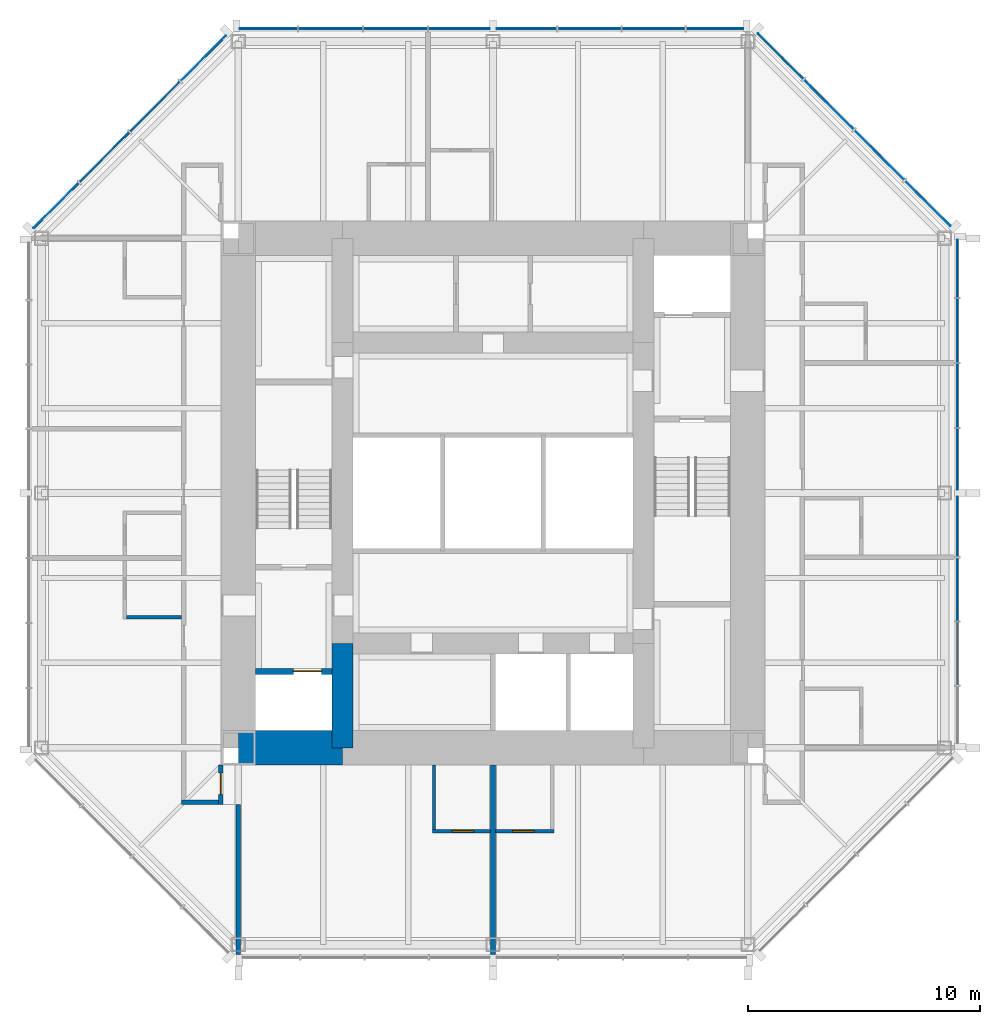
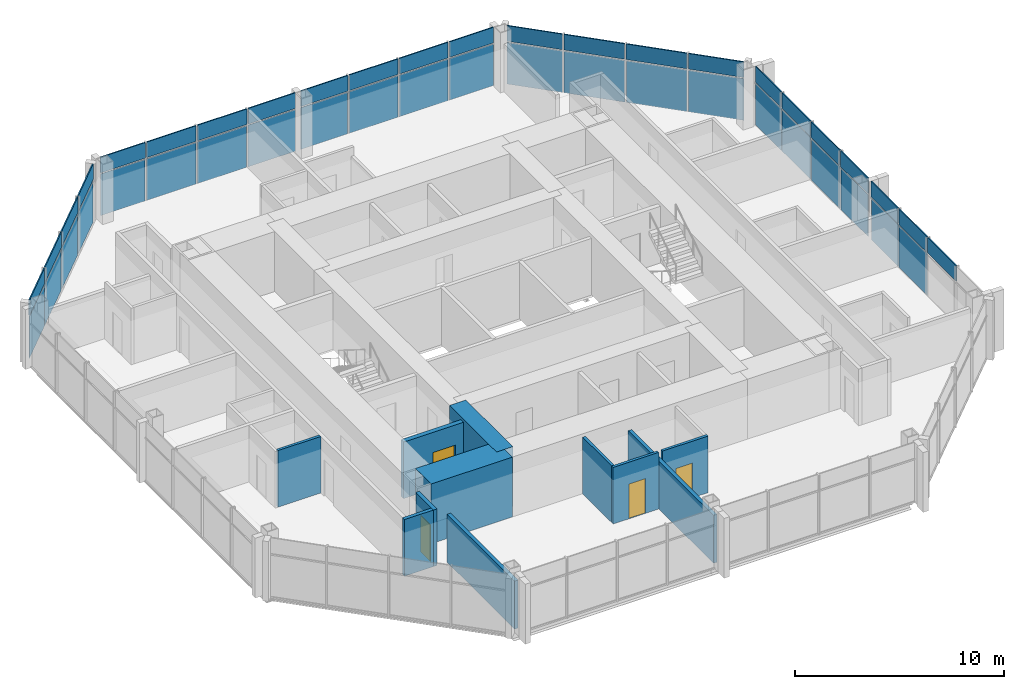
# One storey, part 7 of 11: 45 plates, 11 walls, 4 doors, 4 openings, 4 elements without a shape of their own.
"""IFC4 building model written with IfcOpenShell, lengths in metres."""

from ifc_helpers import new_model, si_unit, direction, frame, frame_2d, origin, origin_2d, place, context, subcontext, project, spatial, rectangle, extrude, material, layer, layer_set, type_object, element, fill, aggregate, save


model = new_model("IFC4")

# Units and contexts
model_context = context("Model", 3, precision=1e-05, world=origin(), true_north=direction((0.0, 1.0)))
body_context = subcontext(model_context, "Body", "Model", "MODEL_VIEW")
ifc_project = project(units=[si_unit("LENGTHUNIT", "METRE"), si_unit("AREAUNIT", "SQUARE_METRE"), si_unit("VOLUMEUNIT", "CUBIC_METRE"), si_unit("PLANEANGLEUNIT", "RADIAN"), si_unit("MASSUNIT", "GRAM", prefix="KILO")], contexts=[model_context])

# Site, building, storey
site_placement = place(None, origin())
site = spatial("IfcSite", under=ifc_project, at=site_placement, CompositionType="ELEMENT")
building_placement = place(site_placement, origin())
building = spatial("IfcBuilding", under=site, at=building_placement, Name="Trevanion Tower", CompositionType="ELEMENT")
storey_placement = place(building_placement, frame((0.0, 0.0, 239.699951171875)))
storey = spatial("IfcBuildingStorey", under=building, at=storey_placement, Name="L58", CompositionType="ELEMENT", Elevation=239.699951171875)

# Curtain wall, plates
ifc_material_1 = material(Name="Aluminium and glass", Category="aluminium")
curtain_wall_type = type_object("IfcCurtainWallType", Name="CW3 curtain wall", PredefinedType="USERDEFINED", material=ifc_material_1)
curtain_wall_1_placement = place(storey_placement, origin())
curtain_wall_1 = element("IfcCurtainWall", 1, at=curtain_wall_1_placement, inside=storey, type_object=curtain_wall_type, Name="CW3 L58 0", ObjectType="UNITISED CURTAIN WALL", PredefinedType="USERDEFINED")
ifc_material_2 = material(Name="Aluminium spandrel panel", Category="aluminium")
ifc_layer_1 = layer(ifc_material_2, 0.06005859375)
ifc_layer_set_1 = layer_set([ifc_layer_1], Name="CW3 spandrel panel")
plate_type_1 = type_object("IfcPlateType", Name="CW3 spandrel panel", PredefinedType="CURTAIN_PANEL", material=ifc_layer_set_1)
plate_1_placement = place(storey_placement, frame((20.050048828125, -6.93603515625, 2.3974609375), z_axis=(0.0, 0.0, 1.0), x_axis=(0.0, 1.0, 0.0)))
plate_1 = element("IfcPlate", 2, at=plate_1_placement, type_object=plate_type_1, Name="CW3 panel 2.2", PredefinedType="CURTAIN_PANEL", context=body_context, shape_type="SweptSolid", body=[
    extrude(rectangle(XDim=2.699462890625, YDim=0.06005859375, at=origin_2d()), origin(), (0.0, 0.0, 1.0), 0.91259765625),
])
plate_2_placement = place(storey_placement, frame((20.050048828125, -4.16162109375, 2.3974609375), z_axis=(0.0, 0.0, 1.0), x_axis=(0.0, 1.0, 0.0)))
plate_2 = element("IfcPlate", 3, at=plate_2_placement, type_object=plate_type_1, Name="CW3 panel 3.2", PredefinedType="CURTAIN_PANEL", context=body_context, shape_type="SweptSolid", body=[
    extrude(rectangle(XDim=2.699462890625, YDim=0.06005859375, at=origin_2d()), origin(), (0.0, 0.0, 1.0), 0.91259765625),
])
plate_3_placement = place(storey_placement, frame((20.050048828125, -1.443603515625, 2.3974609375), z_axis=(0.0, 0.0, 1.0), x_axis=(0.0, 1.0, 0.0)))
plate_3 = element("IfcPlate", 4, at=plate_3_placement, type_object=plate_type_1, Name="CW3 panel 4.2", PredefinedType="CURTAIN_PANEL", context=body_context, shape_type="SweptSolid", body=[
    extrude(rectangle(XDim=2.5869140625, YDim=0.06005859375, at=origin_2d()), origin(), (0.0, 0.0, 1.0), 0.91259765625),
])
plate_4_placement = place(storey_placement, frame((20.050048828125, 1.459716796875, 2.3974609375), z_axis=(0.0, 0.0, 1.0), x_axis=(0.0, 1.0, 0.0)))
plate_4 = element("IfcPlate", 5, at=plate_4_placement, type_object=plate_type_1, Name="CW3 panel 5.2", PredefinedType="CURTAIN_PANEL", context=body_context, shape_type="SweptSolid", body=[
    extrude(rectangle(XDim=2.619384765625, YDim=0.06005859375, at=origin_2d()), origin(), (0.0, 0.0, 1.0), 0.91259765625),
])
plate_5_placement = place(storey_placement, frame((20.050048828125, 4.21044921875, 2.3974609375), z_axis=(0.0, 0.0, 1.0), x_axis=(0.0, 1.0, 0.0)))
plate_5 = element("IfcPlate", 6, at=plate_5_placement, type_object=plate_type_1, Name="CW3 panel 6.2", PredefinedType="CURTAIN_PANEL", context=body_context, shape_type="SweptSolid", body=[
    extrude(rectangle(XDim=2.73193359375, YDim=0.06005859375, at=origin_2d()), origin(), (0.0, 0.0, 1.0), 0.91259765625),
])
plate_6_placement = place(storey_placement, frame((20.050048828125, 7.017333984375, 2.3974609375), z_axis=(0.0, 0.0, 1.0), x_axis=(0.0, 1.0, 0.0)))
plate_6 = element("IfcPlate", 7, at=plate_6_placement, type_object=plate_type_1, Name="CW3 panel 7.2", PredefinedType="CURTAIN_PANEL", context=body_context, shape_type="SweptSolid", body=[
    extrude(rectangle(XDim=2.73193359375, YDim=0.06005859375, at=origin_2d()), origin(), (0.0, 0.0, 1.0), 0.91259765625),
])
plate_7_placement = place(storey_placement, frame((20.050048828125, 9.693115234375, 2.3974609375), z_axis=(0.0, 0.0, 1.0), x_axis=(0.0, 1.0, 0.0)))
plate_7 = element("IfcPlate", 8, at=plate_7_placement, type_object=plate_type_1, Name="CW3 panel 8.2", PredefinedType="CURTAIN_PANEL", context=body_context, shape_type="SweptSolid", body=[
    extrude(rectangle(XDim=2.469482421875, YDim=0.06005859375, at=origin_2d()), origin(), (0.0, 0.0, 1.0), 0.91259765625),
])

curtain_wall_2_placement = place(storey_placement, origin())
curtain_wall_2 = element("IfcCurtainWall", 9, at=curtain_wall_2_placement, inside=storey, type_object=curtain_wall_type, Name="CW3 L58 1", ObjectType="UNITISED CURTAIN WALL", PredefinedType="USERDEFINED")
plate_8_placement = place(storey_placement, frame((18.77392578125, 12.50390625, 2.3974609375), z_axis=(0.0, 0.0, 1.0), x_axis=(-0.707106781187, 0.707106781187, 0.0)))
plate_8 = element("IfcPlate", 10, at=plate_8_placement, type_object=plate_type_1, Name="CW3 panel 1.2", PredefinedType="CURTAIN_PANEL", context=body_context, shape_type="SweptSolid", body=[
    extrude(rectangle(XDim=2.7490234375, YDim=0.06005859375, at=origin_2d()), origin(), (0.0, 0.0, 1.0), 0.91259765625),
])
plate_9_placement = place(storey_placement, frame((16.68408203125, 14.593505859375, 2.3974609375), z_axis=(0.0, 0.0, 1.0), x_axis=(-0.707106781187, 0.707106781187, 0.0)))
plate_9 = element("IfcPlate", 11, at=plate_9_placement, type_object=plate_type_1, Name="CW3 panel 2.2", PredefinedType="CURTAIN_PANEL", context=body_context, shape_type="SweptSolid", body=[
    extrude(rectangle(XDim=3.01171875, YDim=0.06005859375, at=origin_2d()), origin(), (0.0, 0.0, 1.0), 0.91259765625),
])
plate_10_placement = place(storey_placement, frame((14.501708984375, 16.776123046875, 2.3974609375), z_axis=(0.0, 0.0, 1.0), x_axis=(-0.707106781187, 0.707106781187, 0.0)))
plate_10 = element("IfcPlate", 12, at=plate_10_placement, type_object=plate_type_1, Name="CW3 panel 3.2", PredefinedType="CURTAIN_PANEL", context=body_context, shape_type="SweptSolid", body=[
    extrude(rectangle(XDim=3.01171875, YDim=0.06005859375, at=origin_2d()), origin(), (0.0, 0.0, 1.0), 0.91259765625),
])
plate_11_placement = place(storey_placement, frame((12.411865234375, 18.865966796875, 2.3974609375), z_axis=(0.0, 0.0, 1.0), x_axis=(-0.707106781187, 0.707106781187, 0.0)))
plate_11 = element("IfcPlate", 13, at=plate_11_placement, type_object=plate_type_1, Name="CW3 panel 4.2", PredefinedType="CURTAIN_PANEL", context=body_context, shape_type="SweptSolid", body=[
    extrude(rectangle(XDim=2.7490234375, YDim=0.06005859375, at=origin_2d()), origin(), (0.0, 0.0, 1.0), 0.91259765625),
])

curtain_wall_3_placement = place(storey_placement, origin())
curtain_wall_3 = element("IfcCurtainWall", 14, at=curtain_wall_3_placement, inside=storey, type_object=curtain_wall_type, Name="CW3 L58 2", ObjectType="UNITISED CURTAIN WALL", PredefinedType="USERDEFINED")
plate_12_placement = place(storey_placement, frame((9.579345703125, 20.050048828125, 2.3974609375), z_axis=(0.0, 0.0, 1.0), x_axis=(-1.0, 0.0, 0.0)))
plate_12 = element("IfcPlate", 15, at=plate_12_placement, type_object=plate_type_1, Name="CW3 panel 1.2", PredefinedType="CURTAIN_PANEL", context=body_context, shape_type="SweptSolid", body=[
    extrude(rectangle(XDim=2.43701171875, YDim=0.06005859375, at=origin_2d()), origin(), (0.0, 0.0, 1.0), 0.91259765625),
])
plate_13_placement = place(storey_placement, frame((6.93603515625, 20.050048828125, 2.3974609375), z_axis=(0.0, 0.0, 1.0), x_axis=(-1.0, 0.0, 0.0)))
plate_13 = element("IfcPlate", 16, at=plate_13_placement, type_object=plate_type_1, Name="CW3 panel 2.2", PredefinedType="CURTAIN_PANEL", context=body_context, shape_type="SweptSolid", body=[
    extrude(rectangle(XDim=2.699462890625, YDim=0.06005859375, at=origin_2d()), origin(), (0.0, 0.0, 1.0), 0.91259765625),
])
plate_14_placement = place(storey_placement, frame((4.16162109375, 20.050048828125, 2.3974609375), z_axis=(0.0, 0.0, 1.0), x_axis=(-1.0, 0.0, 0.0)))
plate_14 = element("IfcPlate", 17, at=plate_14_placement, type_object=plate_type_1, Name="CW3 panel 3.2", PredefinedType="CURTAIN_PANEL", context=body_context, shape_type="SweptSolid", body=[
    extrude(rectangle(XDim=2.699462890625, YDim=0.06005859375, at=origin_2d()), origin(), (0.0, 0.0, 1.0), 0.91259765625),
])
plate_15_placement = place(storey_placement, frame((1.443603515625, 20.050048828125, 2.3974609375), z_axis=(0.0, 0.0, 1.0), x_axis=(-1.0, 0.0, 0.0)))
plate_15 = element("IfcPlate", 18, at=plate_15_placement, type_object=plate_type_1, Name="CW3 panel 4.2", PredefinedType="CURTAIN_PANEL", context=body_context, shape_type="SweptSolid", body=[
    extrude(rectangle(XDim=2.5869140625, YDim=0.06005859375, at=origin_2d()), origin(), (0.0, 0.0, 1.0), 0.91259765625),
])
plate_16_placement = place(storey_placement, frame((-1.459716796875, 20.050048828125, 2.3974609375), z_axis=(0.0, 0.0, 1.0), x_axis=(-1.0, 0.0, 0.0)))
plate_16 = element("IfcPlate", 19, at=plate_16_placement, type_object=plate_type_1, Name="CW3 panel 5.2", PredefinedType="CURTAIN_PANEL", context=body_context, shape_type="SweptSolid", body=[
    extrude(rectangle(XDim=2.619384765625, YDim=0.06005859375, at=origin_2d()), origin(), (0.0, 0.0, 1.0), 0.91259765625),
])
plate_17_placement = place(storey_placement, frame((-4.21044921875, 20.050048828125, 2.3974609375), z_axis=(0.0, 0.0, 1.0), x_axis=(-1.0, 0.0, 0.0)))
plate_17 = element("IfcPlate", 20, at=plate_17_placement, type_object=plate_type_1, Name="CW3 panel 6.2", PredefinedType="CURTAIN_PANEL", context=body_context, shape_type="SweptSolid", body=[
    extrude(rectangle(XDim=2.73193359375, YDim=0.06005859375, at=origin_2d()), origin(), (0.0, 0.0, 1.0), 0.91259765625),
])
plate_18_placement = place(storey_placement, frame((-7.017333984375, 20.050048828125, 2.3974609375), z_axis=(0.0, 0.0, 1.0), x_axis=(-1.0, 0.0, 0.0)))
plate_18 = element("IfcPlate", 21, at=plate_18_placement, type_object=plate_type_1, Name="CW3 panel 7.2", PredefinedType="CURTAIN_PANEL", context=body_context, shape_type="SweptSolid", body=[
    extrude(rectangle(XDim=2.73193359375, YDim=0.06005859375, at=origin_2d()), origin(), (0.0, 0.0, 1.0), 0.91259765625),
])
plate_19_placement = place(storey_placement, frame((-9.693115234375, 20.050048828125, 2.3974609375), z_axis=(0.0, 0.0, 1.0), x_axis=(-1.0, 0.0, 0.0)))
plate_19 = element("IfcPlate", 22, at=plate_19_placement, type_object=plate_type_1, Name="CW3 panel 8.2", PredefinedType="CURTAIN_PANEL", context=body_context, shape_type="SweptSolid", body=[
    extrude(rectangle(XDim=2.469482421875, YDim=0.06005859375, at=origin_2d()), origin(), (0.0, 0.0, 1.0), 0.91259765625),
])

curtain_wall_4_placement = place(storey_placement, origin())
curtain_wall_4 = element("IfcCurtainWall", 23, at=curtain_wall_4_placement, inside=storey, type_object=curtain_wall_type, Name="CW3 L58 3", ObjectType="UNITISED CURTAIN WALL", PredefinedType="USERDEFINED")
plate_20_placement = place(storey_placement, frame((-12.50390625, 18.77392578125, 2.3974609375), z_axis=(0.0, 0.0, 1.0), x_axis=(-0.707106781187, -0.707106781187, 0.0)))
plate_20 = element("IfcPlate", 24, at=plate_20_placement, type_object=plate_type_1, Name="CW3 panel 1.2", PredefinedType="CURTAIN_PANEL", context=body_context, shape_type="SweptSolid", body=[
    extrude(rectangle(XDim=2.7490234375, YDim=0.06005859375, at=origin_2d()), origin(), (0.0, 0.0, 1.0), 0.91259765625),
])
plate_21_placement = place(storey_placement, frame((-14.593505859375, 16.68408203125, 2.3974609375), z_axis=(0.0, 0.0, 1.0), x_axis=(-0.707106781187, -0.707106781187, 0.0)))
plate_21 = element("IfcPlate", 25, at=plate_21_placement, type_object=plate_type_1, Name="CW3 panel 2.2", PredefinedType="CURTAIN_PANEL", context=body_context, shape_type="SweptSolid", body=[
    extrude(rectangle(XDim=3.01171875, YDim=0.06005859375, at=origin_2d()), origin(), (0.0, 0.0, 1.0), 0.91259765625),
])
plate_22_placement = place(storey_placement, frame((-16.776123046875, 14.501708984375, 2.3974609375), z_axis=(0.0, 0.0, 1.0), x_axis=(-0.707106781187, -0.707106781187, 0.0)))
plate_22 = element("IfcPlate", 26, at=plate_22_placement, type_object=plate_type_1, Name="CW3 panel 3.2", PredefinedType="CURTAIN_PANEL", context=body_context, shape_type="SweptSolid", body=[
    extrude(rectangle(XDim=3.01171875, YDim=0.06005859375, at=origin_2d()), origin(), (0.0, 0.0, 1.0), 0.91259765625),
])
plate_23_placement = place(storey_placement, frame((-18.865966796875, 12.411865234375, 2.3974609375), z_axis=(0.0, 0.0, 1.0), x_axis=(-0.707106781187, -0.707106781187, 0.0)))
plate_23 = element("IfcPlate", 27, at=plate_23_placement, type_object=plate_type_1, Name="CW3 panel 4.2", PredefinedType="CURTAIN_PANEL", context=body_context, shape_type="SweptSolid", body=[
    extrude(rectangle(XDim=2.7490234375, YDim=0.06005859375, at=origin_2d()), origin(), (0.0, 0.0, 1.0), 0.91259765625),
])

# Plate
ifc_material_3 = material(Name="Insulating glass unit", Category="glass")
ifc_layer_2 = layer(ifc_material_3, 0.028076171875)
ifc_layer_set_2 = layer_set([ifc_layer_2], Name="CW3 vision panel")
plate_type_2 = type_object("IfcPlateType", Name="CW3 vision panel", PredefinedType="CURTAIN_PANEL", material=ifc_layer_set_2)
plate_24_placement = place(storey_placement, frame((20.050048828125, -4.16162109375, -0.114990234375), z_axis=(0.0, 0.0, 1.0), x_axis=(0.0, 1.0, 0.0)))
plate_24 = element("IfcPlate", 28, at=plate_24_placement, type_object=plate_type_2, Name="CW3 panel 3.1", PredefinedType="CURTAIN_PANEL", context=body_context, shape_type="SweptSolid", body=[
    extrude(rectangle(XDim=2.699462890625, YDim=0.028076171875, at=origin_2d()), origin(), (0.0, 0.0, 1.0), 2.4375),
])

plate_25_placement = place(storey_placement, frame((20.050048828125, -1.443603515625, -0.114990234375), z_axis=(0.0, 0.0, 1.0), x_axis=(0.0, 1.0, 0.0)))
plate_25 = element("IfcPlate", 29, at=plate_25_placement, type_object=plate_type_2, Name="CW3 panel 4.1", PredefinedType="CURTAIN_PANEL", context=body_context, shape_type="SweptSolid", body=[
    extrude(rectangle(XDim=2.5869140625, YDim=0.028076171875, at=origin_2d()), origin(), (0.0, 0.0, 1.0), 2.4375),
])

plate_26_placement = place(storey_placement, frame((20.050048828125, 1.459716796875, -0.114990234375), z_axis=(0.0, 0.0, 1.0), x_axis=(0.0, 1.0, 0.0)))
plate_26 = element("IfcPlate", 30, at=plate_26_placement, type_object=plate_type_2, Name="CW3 panel 5.1", PredefinedType="CURTAIN_PANEL", context=body_context, shape_type="SweptSolid", body=[
    extrude(rectangle(XDim=2.619384765625, YDim=0.028076171875, at=origin_2d()), origin(), (0.0, 0.0, 1.0), 2.4375),
])

plate_27_placement = place(storey_placement, frame((20.050048828125, 4.21044921875, -0.114990234375), z_axis=(0.0, 0.0, 1.0), x_axis=(0.0, 1.0, 0.0)))
plate_27 = element("IfcPlate", 31, at=plate_27_placement, type_object=plate_type_2, Name="CW3 panel 6.1", PredefinedType="CURTAIN_PANEL", context=body_context, shape_type="SweptSolid", body=[
    extrude(rectangle(XDim=2.73193359375, YDim=0.028076171875, at=origin_2d()), origin(), (0.0, 0.0, 1.0), 2.4375),
])

plate_28_placement = place(storey_placement, frame((20.050048828125, 7.017333984375, -0.114990234375), z_axis=(0.0, 0.0, 1.0), x_axis=(0.0, 1.0, 0.0)))
plate_28 = element("IfcPlate", 32, at=plate_28_placement, type_object=plate_type_2, Name="CW3 panel 7.1", PredefinedType="CURTAIN_PANEL", context=body_context, shape_type="SweptSolid", body=[
    extrude(rectangle(XDim=2.73193359375, YDim=0.028076171875, at=origin_2d()), origin(), (0.0, 0.0, 1.0), 2.4375),
])

plate_29_placement = place(storey_placement, frame((20.050048828125, 9.693115234375, -0.114990234375), z_axis=(0.0, 0.0, 1.0), x_axis=(0.0, 1.0, 0.0)))
plate_29 = element("IfcPlate", 33, at=plate_29_placement, type_object=plate_type_2, Name="CW3 panel 8.1", PredefinedType="CURTAIN_PANEL", context=body_context, shape_type="SweptSolid", body=[
    extrude(rectangle(XDim=2.469482421875, YDim=0.028076171875, at=origin_2d()), origin(), (0.0, 0.0, 1.0), 2.4375),
])

aggregate(curtain_wall_1, [plate_1, plate_24, plate_2, plate_25, plate_3, plate_26, plate_4, plate_27, plate_5, plate_28, plate_6, plate_29, plate_7])

plate_30_placement = place(storey_placement, frame((18.77392578125, 12.50390625, -0.114990234375), z_axis=(0.0, 0.0, 1.0), x_axis=(-0.707106781187, 0.707106781187, 0.0)))
plate_30 = element("IfcPlate", 34, at=plate_30_placement, type_object=plate_type_2, Name="CW3 panel 1.1", PredefinedType="CURTAIN_PANEL", context=body_context, shape_type="SweptSolid", body=[
    extrude(rectangle(XDim=2.7490234375, YDim=0.028076171875, at=origin_2d()), origin(), (0.0, 0.0, 1.0), 2.4375),
])

plate_31_placement = place(storey_placement, frame((16.68408203125, 14.593505859375, -0.114990234375), z_axis=(0.0, 0.0, 1.0), x_axis=(-0.707106781187, 0.707106781187, 0.0)))
plate_31 = element("IfcPlate", 35, at=plate_31_placement, type_object=plate_type_2, Name="CW3 panel 2.1", PredefinedType="CURTAIN_PANEL", context=body_context, shape_type="SweptSolid", body=[
    extrude(rectangle(XDim=3.01171875, YDim=0.028076171875, at=origin_2d()), origin(), (0.0, 0.0, 1.0), 2.4375),
])

plate_32_placement = place(storey_placement, frame((14.501708984375, 16.776123046875, -0.114990234375), z_axis=(0.0, 0.0, 1.0), x_axis=(-0.707106781187, 0.707106781187, 0.0)))
plate_32 = element("IfcPlate", 36, at=plate_32_placement, type_object=plate_type_2, Name="CW3 panel 3.1", PredefinedType="CURTAIN_PANEL", context=body_context, shape_type="SweptSolid", body=[
    extrude(rectangle(XDim=3.01171875, YDim=0.028076171875, at=origin_2d()), origin(), (0.0, 0.0, 1.0), 2.4375),
])

plate_33_placement = place(storey_placement, frame((12.411865234375, 18.865966796875, -0.114990234375), z_axis=(0.0, 0.0, 1.0), x_axis=(-0.707106781187, 0.707106781187, 0.0)))
plate_33 = element("IfcPlate", 37, at=plate_33_placement, type_object=plate_type_2, Name="CW3 panel 4.1", PredefinedType="CURTAIN_PANEL", context=body_context, shape_type="SweptSolid", body=[
    extrude(rectangle(XDim=2.7490234375, YDim=0.028076171875, at=origin_2d()), origin(), (0.0, 0.0, 1.0), 2.4375),
])

aggregate(curtain_wall_2, [plate_30, plate_8, plate_31, plate_9, plate_32, plate_10, plate_33, plate_11])

plate_34_placement = place(storey_placement, frame((9.579345703125, 20.050048828125, -0.114990234375), z_axis=(0.0, 0.0, 1.0), x_axis=(-1.0, 0.0, 0.0)))
plate_34 = element("IfcPlate", 38, at=plate_34_placement, type_object=plate_type_2, Name="CW3 panel 1.1", PredefinedType="CURTAIN_PANEL", context=body_context, shape_type="SweptSolid", body=[
    extrude(rectangle(XDim=2.43701171875, YDim=0.028076171875, at=origin_2d()), origin(), (0.0, 0.0, 1.0), 2.4375),
])

plate_35_placement = place(storey_placement, frame((6.93603515625, 20.050048828125, -0.114990234375), z_axis=(0.0, 0.0, 1.0), x_axis=(-1.0, 0.0, 0.0)))
plate_35 = element("IfcPlate", 39, at=plate_35_placement, type_object=plate_type_2, Name="CW3 panel 2.1", PredefinedType="CURTAIN_PANEL", context=body_context, shape_type="SweptSolid", body=[
    extrude(rectangle(XDim=2.699462890625, YDim=0.028076171875, at=origin_2d()), origin(), (0.0, 0.0, 1.0), 2.4375),
])

plate_36_placement = place(storey_placement, frame((4.16162109375, 20.050048828125, -0.114990234375), z_axis=(0.0, 0.0, 1.0), x_axis=(-1.0, 0.0, 0.0)))
plate_36 = element("IfcPlate", 40, at=plate_36_placement, type_object=plate_type_2, Name="CW3 panel 3.1", PredefinedType="CURTAIN_PANEL", context=body_context, shape_type="SweptSolid", body=[
    extrude(rectangle(XDim=2.699462890625, YDim=0.028076171875, at=origin_2d()), origin(), (0.0, 0.0, 1.0), 2.4375),
])

plate_37_placement = place(storey_placement, frame((1.443603515625, 20.050048828125, -0.114990234375), z_axis=(0.0, 0.0, 1.0), x_axis=(-1.0, 0.0, 0.0)))
plate_37 = element("IfcPlate", 41, at=plate_37_placement, type_object=plate_type_2, Name="CW3 panel 4.1", PredefinedType="CURTAIN_PANEL", context=body_context, shape_type="SweptSolid", body=[
    extrude(rectangle(XDim=2.5869140625, YDim=0.028076171875, at=origin_2d()), origin(), (0.0, 0.0, 1.0), 2.4375),
])

plate_38_placement = place(storey_placement, frame((-1.459716796875, 20.050048828125, -0.114990234375), z_axis=(0.0, 0.0, 1.0), x_axis=(-1.0, 0.0, 0.0)))
plate_38 = element("IfcPlate", 42, at=plate_38_placement, type_object=plate_type_2, Name="CW3 panel 5.1", PredefinedType="CURTAIN_PANEL", context=body_context, shape_type="SweptSolid", body=[
    extrude(rectangle(XDim=2.619384765625, YDim=0.028076171875, at=origin_2d()), origin(), (0.0, 0.0, 1.0), 2.4375),
])

plate_39_placement = place(storey_placement, frame((-4.21044921875, 20.050048828125, -0.114990234375), z_axis=(0.0, 0.0, 1.0), x_axis=(-1.0, 0.0, 0.0)))
plate_39 = element("IfcPlate", 43, at=plate_39_placement, type_object=plate_type_2, Name="CW3 panel 6.1", PredefinedType="CURTAIN_PANEL", context=body_context, shape_type="SweptSolid", body=[
    extrude(rectangle(XDim=2.73193359375, YDim=0.028076171875, at=origin_2d()), origin(), (0.0, 0.0, 1.0), 2.4375),
])

plate_40_placement = place(storey_placement, frame((-7.017333984375, 20.050048828125, -0.114990234375), z_axis=(0.0, 0.0, 1.0), x_axis=(-1.0, 0.0, 0.0)))
plate_40 = element("IfcPlate", 44, at=plate_40_placement, type_object=plate_type_2, Name="CW3 panel 7.1", PredefinedType="CURTAIN_PANEL", context=body_context, shape_type="SweptSolid", body=[
    extrude(rectangle(XDim=2.73193359375, YDim=0.028076171875, at=origin_2d()), origin(), (0.0, 0.0, 1.0), 2.4375),
])

plate_41_placement = place(storey_placement, frame((-9.693115234375, 20.050048828125, -0.114990234375), z_axis=(0.0, 0.0, 1.0), x_axis=(-1.0, 0.0, 0.0)))
plate_41 = element("IfcPlate", 45, at=plate_41_placement, type_object=plate_type_2, Name="CW3 panel 8.1", PredefinedType="CURTAIN_PANEL", context=body_context, shape_type="SweptSolid", body=[
    extrude(rectangle(XDim=2.469482421875, YDim=0.028076171875, at=origin_2d()), origin(), (0.0, 0.0, 1.0), 2.4375),
])

aggregate(curtain_wall_3, [plate_34, plate_12, plate_35, plate_13, plate_36, plate_14, plate_37, plate_15, plate_38, plate_16, plate_39, plate_17, plate_40, plate_18, plate_41, plate_19])

plate_42_placement = place(storey_placement, frame((-12.50390625, 18.77392578125, -0.114990234375), z_axis=(0.0, 0.0, 1.0), x_axis=(-0.707106781187, -0.707106781187, 0.0)))
plate_42 = element("IfcPlate", 46, at=plate_42_placement, type_object=plate_type_2, Name="CW3 panel 1.1", PredefinedType="CURTAIN_PANEL", context=body_context, shape_type="SweptSolid", body=[
    extrude(rectangle(XDim=2.7490234375, YDim=0.028076171875, at=origin_2d()), origin(), (0.0, 0.0, 1.0), 2.4375),
])

plate_43_placement = place(storey_placement, frame((-14.593505859375, 16.68408203125, -0.114990234375), z_axis=(0.0, 0.0, 1.0), x_axis=(-0.707106781187, -0.707106781187, 0.0)))
plate_43 = element("IfcPlate", 47, at=plate_43_placement, type_object=plate_type_2, Name="CW3 panel 2.1", PredefinedType="CURTAIN_PANEL", context=body_context, shape_type="SweptSolid", body=[
    extrude(rectangle(XDim=3.01171875, YDim=0.028076171875, at=origin_2d()), origin(), (0.0, 0.0, 1.0), 2.4375),
])

plate_44_placement = place(storey_placement, frame((-16.776123046875, 14.501708984375, -0.114990234375), z_axis=(0.0, 0.0, 1.0), x_axis=(-0.707106781187, -0.707106781187, 0.0)))
plate_44 = element("IfcPlate", 48, at=plate_44_placement, type_object=plate_type_2, Name="CW3 panel 3.1", PredefinedType="CURTAIN_PANEL", context=body_context, shape_type="SweptSolid", body=[
    extrude(rectangle(XDim=3.01171875, YDim=0.028076171875, at=origin_2d()), origin(), (0.0, 0.0, 1.0), 2.4375),
])

plate_45_placement = place(storey_placement, frame((-18.865966796875, 12.411865234375, -0.114990234375), z_axis=(0.0, 0.0, 1.0), x_axis=(-0.707106781187, -0.707106781187, 0.0)))
plate_45 = element("IfcPlate", 49, at=plate_45_placement, type_object=plate_type_2, Name="CW3 panel 4.1", PredefinedType="CURTAIN_PANEL", context=body_context, shape_type="SweptSolid", body=[
    extrude(rectangle(XDim=2.7490234375, YDim=0.028076171875, at=origin_2d()), origin(), (0.0, 0.0, 1.0), 2.4375),
])

aggregate(curtain_wall_4, [plate_42, plate_20, plate_43, plate_21, plate_44, plate_22, plate_45, plate_23])

# Walls
ifc_material_4 = material(Name="Concrete 10,000 psi", Category="concrete")
ifc_layer_3 = layer(ifc_material_4, 1.5)
ifc_layer_set_3 = layer_set([ifc_layer_3], Name="CW1 core wall 1500")
wall_type_1 = type_object("IfcWallType", Name="CW1 core wall 1500", PredefinedType="SHEAR", material=ifc_layer_set_3)
wall_1_placement = place(storey_placement, frame((-11.0, -11.0, 0.0), z_axis=(0.0, 0.0, 1.0), x_axis=(1.0, 0.0, 0.0)))
element("IfcWall", 50, at=wall_1_placement, inside=storey, type_object=wall_type_1, Name="CW1 CS1 L58", PredefinedType="SHEAR", context=body_context, shape_type="SweptSolid", body=[
    extrude(rectangle(XDim=4.5, YDim=1.5, at=frame_2d((2.25, 0.0))), origin(), (0.0, 0.0, 1.0), 3.5),
])
ifc_material_5 = material(Name="Concrete 10,000 psi", Category="concrete")
ifc_layer_4 = layer(ifc_material_5, 0.89990234375)
ifc_layer_set_4 = layer_set([ifc_layer_4], Name="CW2 core wall 900")
wall_type_2 = type_object("IfcWallType", Name="CW2 core wall 900", PredefinedType="SHEAR", material=ifc_layer_set_4)
wall_2_placement = place(storey_placement, frame((-6.5, -6.5, 0.0), z_axis=(0.0, 0.0, 1.0), x_axis=(0.0, -1.0, 0.0)))
element("IfcWall", 51, at=wall_2_placement, inside=storey, type_object=wall_type_2, Name="CW2 RW3 L58", PredefinedType="SHEAR", context=body_context, shape_type="SweptSolid", body=[
    extrude(rectangle(XDim=4.5, YDim=0.89990234375, at=frame_2d((2.25, 0.0))), origin(), (0.0, 0.0, 1.0), 3.5),
])
ifc_material_6 = material(Name="Gypsum board on steel studs", Category="steel")
ifc_layer_5 = layer(ifc_material_6, 0.14990234375)
ifc_layer_set_5 = layer_set([ifc_layer_5], Name="PT1 partition 150")
wall_type_3 = type_object("IfcWallType", Name="PT1 partition 150", PredefinedType="PARTITIONING", material=ifc_layer_set_5)
wall_3_placement = place(storey_placement, frame((-13.449951171875, -5.35693359375, 0.0), z_axis=(0.0, 0.0, 1.0), x_axis=(-1.0, 0.0, 0.0)))
element("IfcWall", 52, at=wall_3_placement, inside=storey, type_object=wall_type_3, Name="PT1 L58 BB22", PredefinedType="PARTITIONING", context=body_context, shape_type="SweptSolid", body=[
    extrude(rectangle(XDim=2.375, YDim=0.14990234375, at=frame_2d((1.1875, 0.0))), origin(), (0.0, 0.0, 1.0), 3.31005859375),
])

# Wall, opening, door
wall_4_placement = place(storey_placement, frame((-2.625, -14.60009765625, 0.0), z_axis=(0.0, 0.0, 1.0), x_axis=(1.0, 0.0, 0.0)))
wall_4 = element("IfcWall", 53, at=wall_4_placement, inside=storey, type_object=wall_type_3, Name="PT1 L58 BA30", PredefinedType="PARTITIONING", context=body_context, shape_type="SweptSolid", body=[
    extrude(rectangle(XDim=2.52490234375, YDim=0.14990234375, at=frame_2d((1.262451171875, 0.0))), origin(), (0.0, 0.0, 1.0), 3.31005859375),
])
opening_1_placement = place(wall_4_placement, frame((0.867431640625, 0.0, 0.0)))
opening_1 = element("IfcOpeningElement", 54, at=opening_1_placement, cuts=wall_4, Name="Opening 58-035", PredefinedType="OPENING", context=body_context, shape_type="SweptSolid", body=[
    extrude(rectangle(XDim=0.9150390625, YDim=2.031982421875, at=frame_2d((0.45751953125, 1.01611328125))), frame((0.0, 0.0849609375, 0.0), z_axis=(0.0, -1.0, 0.0), x_axis=(1.0, 0.0, 0.0)), (0.0, 0.0, 1.0), 0.169921875),
])
ifc_material_7 = material(Name="Timber veneer", Category="wood")
door_type_1 = type_object("IfcDoorType", Name="D7 bathroom door", OperationType="SINGLE_SWING_LEFT", PredefinedType="DOOR", material=ifc_material_7)
door_1_placement = place(opening_1_placement, origin())
door_1 = element("IfcDoor", 55, at=door_1_placement, inside=storey, type_object=door_type_1, Name="Door 58-035", OperationType="SINGLE_SWING_LEFT", OverallHeight=2.031982421875, OverallWidth=0.9150390625, PredefinedType="DOOR", context=body_context, shape_type="SweptSolid", body=[
    extrude(rectangle(XDim=0.9150390625, YDim=2.031982421875, at=frame_2d((0.45751953125, 1.01611328125))), frame((0.0, 0.02490234375, 0.0), z_axis=(0.0, -1.0, 0.0), x_axis=(1.0, 0.0, 0.0)), (0.0, 0.0, 1.0), 0.050048828125),
])
fill(opening_1, door_1)

# Wall
wall_5_placement = place(storey_placement, frame((-2.550048828125, -11.75, 0.0), z_axis=(0.0, 0.0, 1.0), x_axis=(0.0, -1.0, 0.0)))
element("IfcWall", 56, at=wall_5_placement, inside=storey, type_object=wall_type_3, Name="PT1 L58 BB30", PredefinedType="PARTITIONING", context=body_context, shape_type="SweptSolid", body=[
    extrude(rectangle(XDim=2.77490234375, YDim=0.14990234375, at=frame_2d((1.387451171875, 0.0))), origin(), (0.0, 0.0, 1.0), 3.31005859375),
])

# Wall, opening, door
wall_6_placement = place(storey_placement, frame((0.10009765625, -14.60009765625, 0.0), z_axis=(0.0, 0.0, 1.0), x_axis=(1.0, 0.0, 0.0)))
wall_6 = element("IfcWall", 57, at=wall_6_placement, inside=storey, type_object=wall_type_3, Name="PT1 L58 BA31", PredefinedType="PARTITIONING", context=body_context, shape_type="SweptSolid", body=[
    extrude(rectangle(XDim=2.52490234375, YDim=0.14990234375, at=frame_2d((1.262451171875, 0.0))), origin(), (0.0, 0.0, 1.0), 3.31005859375),
])
opening_2_placement = place(wall_6_placement, frame((0.742431640625, 0.0, 0.0)))
opening_2 = element("IfcOpeningElement", 58, at=opening_2_placement, cuts=wall_6, Name="Opening 58-036", PredefinedType="OPENING", context=body_context, shape_type="SweptSolid", body=[
    extrude(rectangle(XDim=0.9150390625, YDim=2.031982421875, at=frame_2d((0.45751953125, 1.01611328125))), frame((0.0, 0.0849609375, 0.0), z_axis=(0.0, -1.0, 0.0), x_axis=(1.0, 0.0, 0.0)), (0.0, 0.0, 1.0), 0.169921875),
])
door_2_placement = place(opening_2_placement, origin())
door_2 = element("IfcDoor", 59, at=door_2_placement, inside=storey, type_object=door_type_1, Name="Door 58-036", OperationType="SINGLE_SWING_LEFT", OverallHeight=2.031982421875, OverallWidth=0.9150390625, PredefinedType="DOOR", context=body_context, shape_type="SweptSolid", body=[
    extrude(rectangle(XDim=0.9150390625, YDim=2.031982421875, at=frame_2d((0.45751953125, 1.01611328125))), frame((0.0, 0.02490234375, 0.0), z_axis=(0.0, -1.0, 0.0), x_axis=(1.0, 0.0, 0.0)), (0.0, 0.0, 1.0), 0.050048828125),
])
fill(opening_2, door_2)

ifc_material_8 = material(Name="Concrete masonry, grouted", Category="masonry")
ifc_layer_6 = layer(ifc_material_8, 0.199951171875)
ifc_layer_set_6 = layer_set([ifc_layer_6], Name="PT2 partition 200 1 HR")
wall_type_4 = type_object("IfcWallType", Name="PT2 partition 200 1 HR", PredefinedType="PARTITIONING", material=ifc_layer_set_6)
wall_7_placement = place(storey_placement, frame((-11.75, -11.75, 0.0), z_axis=(0.0, 0.0, 1.0), x_axis=(0.0, -1.0, 0.0)))
wall_7 = element("IfcWall", 60, at=wall_7_placement, inside=storey, type_object=wall_type_4, Name="PT2 L58 HO3a", PredefinedType="PARTITIONING", context=body_context, shape_type="SweptSolid", body=[
    extrude(rectangle(XDim=1.699951171875, YDim=0.199951171875, at=frame_2d((0.85009765625, 0.0))), origin(), (0.0, 0.0, 1.0), 3.31005859375),
])
opening_3_placement = place(wall_7_placement, frame((0.342529296875, 0.0, 0.0)))
opening_3 = element("IfcOpeningElement", 61, at=opening_3_placement, cuts=wall_7, Name="Opening 58-033", PredefinedType="OPENING", context=body_context, shape_type="SweptSolid", body=[
    extrude(rectangle(XDim=0.9150390625, YDim=2.134033203125, at=frame_2d((0.45751953125, 1.06689453125))), frame((0.0, 0.10986328125, 0.0), z_axis=(0.0, -1.0, 0.0), x_axis=(1.0, 0.0, 0.0)), (0.0, 0.0, 1.0), 0.219970703125),
])
ifc_material_9 = material(Name="Timber veneer, fire rated", Category="wood")
door_type_2 = type_object("IfcDoorType", Name="D6 guest room entrance door", OperationType="SINGLE_SWING_LEFT", PredefinedType="DOOR", material=ifc_material_9)
door_3_placement = place(opening_3_placement, origin())
door_3 = element("IfcDoor", 62, at=door_3_placement, inside=storey, type_object=door_type_2, Name="Door 58-033", OperationType="SINGLE_SWING_LEFT", OverallHeight=2.134033203125, OverallWidth=0.9150390625, PredefinedType="DOOR", context=body_context, shape_type="SweptSolid", body=[
    extrude(rectangle(XDim=0.9150390625, YDim=2.134033203125, at=frame_2d((0.45751953125, 1.06689453125))), frame((0.0, 0.02490234375, 0.0), z_axis=(0.0, -1.0, 0.0), x_axis=(1.0, 0.0, 0.0)), (0.0, 0.0, 1.0), 0.050048828125),
])
fill(opening_3, door_3)

# Walls
wall_8_placement = place(storey_placement, frame((-13.449951171875, -13.35009765625, 0.0), z_axis=(0.0, 0.0, 1.0), x_axis=(1.0, 0.0, 0.0)))
element("IfcWall", 63, at=wall_8_placement, inside=storey, type_object=wall_type_4, Name="PT2 L58 HC3ca", PredefinedType="PARTITIONING", context=body_context, shape_type="SweptSolid", body=[
    extrude(rectangle(XDim=1.599853515625, YDim=0.199951171875, at=frame_2d((0.7998046875, 0.0))), origin(), (0.0, 0.0, 1.0), 3.31005859375),
])
wall_9_placement = place(storey_placement, frame((-11.0, -13.449951171875, 0.0), z_axis=(0.0, 0.0, 1.0), x_axis=(0.0, -1.0, 0.0)))
element("IfcWall", 64, at=wall_9_placement, inside=storey, type_object=wall_type_4, Name="PT2 L58 HD30", PredefinedType="PARTITIONING", context=body_context, shape_type="SweptSolid", body=[
    extrude(rectangle(XDim=6.465087890625, YDim=0.199951171875, at=frame_2d((3.232421875, 0.0))), origin(), (0.0, 0.0, 1.0), 2.802001953125),
])
wall_10_placement = place(storey_placement, frame((0.0, -11.75, 0.0), z_axis=(0.0, 0.0, 1.0), x_axis=(0.0, -1.0, 0.0)))
element("IfcWall", 65, at=wall_10_placement, inside=storey, type_object=wall_type_4, Name="PT2 L58 HD31", PredefinedType="PARTITIONING", context=body_context, shape_type="SweptSolid", body=[
    extrude(rectangle(XDim=8.1650390625, YDim=0.199951171875, at=frame_2d((4.08251953125, 0.0))), origin(), (0.0, 0.0, 1.0), 2.802001953125),
])

# Wall, opening, door
ifc_material_10 = material(Name="Concrete masonry, grouted, two-hour", Category="masonry")
ifc_layer_7 = layer(ifc_material_10, 0.25)
ifc_layer_set_7 = layer_set([ifc_layer_7], Name="PT3 partition 250 2 HR")
wall_type_5 = type_object("IfcWallType", Name="PT3 partition 250 2 HR", PredefinedType="PARTITIONING", material=ifc_layer_set_7)
wall_11_placement = place(storey_placement, frame((-6.949951171875, -7.699951171875, 0.0), z_axis=(0.0, 0.0, 1.0), x_axis=(-1.0, 0.0, 0.0)))
wall_11 = element("IfcWall", 66, at=wall_11_placement, inside=storey, type_object=wall_type_5, Name="PT3 L58 WP3", PredefinedType="PARTITIONING", context=body_context, shape_type="SweptSolid", body=[
    extrude(rectangle(XDim=3.300048828125, YDim=0.25, at=frame_2d((1.64990234375, 0.0))), origin(), (0.0, 0.0, 1.0), 3.31005859375),
])
opening_4_placement = place(wall_11_placement, frame((0.449951171875, 0.0, 0.0)))
opening_4 = element("IfcOpeningElement", 67, at=opening_4_placement, cuts=wall_11, Name="Opening 58-008", PredefinedType="OPENING", context=body_context, shape_type="SweptSolid", body=[
    extrude(rectangle(XDim=1.218994140625, YDim=2.134033203125, at=frame_2d((0.609375, 1.06689453125))), frame((0.0, 0.135009765625, 0.0), z_axis=(0.0, -1.0, 0.0), x_axis=(1.0, 0.0, 0.0)), (0.0, 0.0, 1.0), 0.27001953125),
])
ifc_material_11 = material(Name="Stainless steel, fire rated", Category="steel")
door_type_3 = type_object("IfcDoorType", Name="LD2 fire service lift landing door", OperationType="SLIDING_TO_LEFT", PredefinedType="DOOR", material=ifc_material_11)
door_4_placement = place(opening_4_placement, origin())
door_4 = element("IfcDoor", 68, at=door_4_placement, inside=storey, type_object=door_type_3, Name="Door 58-008", OperationType="SLIDING_TO_LEFT", OverallHeight=2.134033203125, OverallWidth=1.218994140625, PredefinedType="DOOR", context=body_context, shape_type="SweptSolid", body=[
    extrude(rectangle(XDim=1.218994140625, YDim=2.134033203125, at=frame_2d((0.609375, 1.06689453125))), frame((0.0, 0.02490234375, 0.0), z_axis=(0.0, -1.0, 0.0), x_axis=(1.0, 0.0, 0.0)), (0.0, 0.0, 1.0), 0.050048828125),
])
fill(opening_4, door_4)

save(model, "model.ifc")
